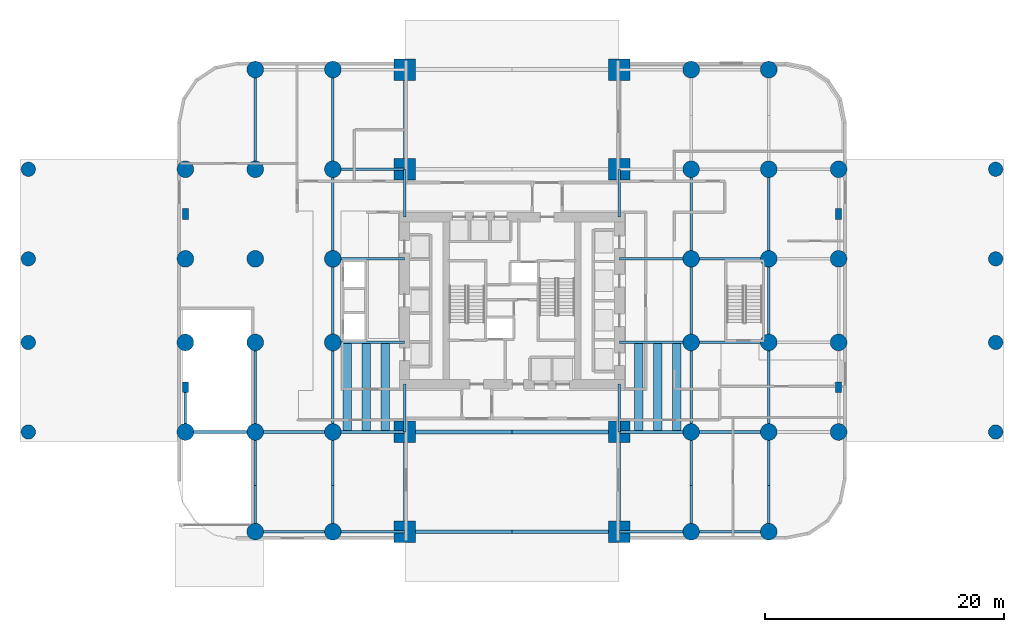
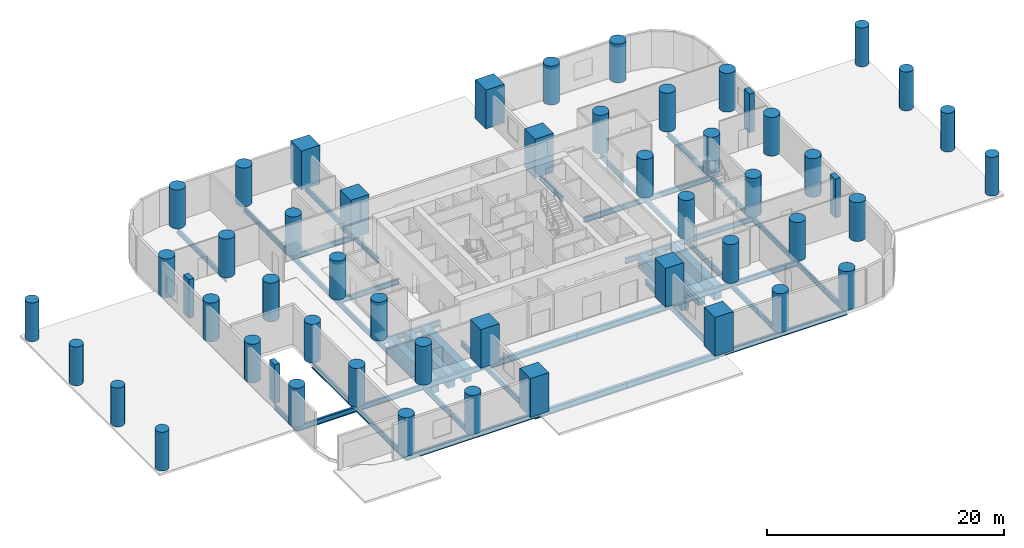
# One storey, part 1 of 10: 54 beams, 52 columns.
"""IFC4 building model written with IfcOpenShell, lengths in metres."""

from ifc_helpers import new_model, si_unit, direction, frame, origin, origin_2d, place, context, subcontext, project, spatial, rectangle, circle, i_section, extrude, material, material_profile, profile_set, type_object, element, save


model = new_model("IFC4")

# Units and contexts
model_context = context("Model", 3, precision=1e-05, world=origin(), true_north=direction((0.0, 1.0)))
body_context = subcontext(model_context, "Body", "Model", "MODEL_VIEW")
ifc_project = project(units=[si_unit("LENGTHUNIT", "METRE"), si_unit("AREAUNIT", "SQUARE_METRE"), si_unit("VOLUMEUNIT", "CUBIC_METRE"), si_unit("PLANEANGLEUNIT", "RADIAN"), si_unit("MASSUNIT", "GRAM", prefix="KILO")], contexts=[model_context])

# Site, building, storey
site_placement = place(None, origin())
site = spatial("IfcSite", under=ifc_project, at=site_placement, CompositionType="ELEMENT")
building_placement = place(site_placement, origin())
building = spatial("IfcBuilding", under=site, at=building_placement, Name="Veldorim Arch Residences", CompositionType="ELEMENT")
storey_placement = place(building_placement, origin())
storey = spatial("IfcBuildingStorey", under=building, at=storey_placement, Name="L00", CompositionType="ELEMENT", Elevation=0.0)

# Columns
ifc_material_1 = material(Name="Concrete C60/75", Category="concrete")
ifc_material_profile_1 = material_profile(ifc_material_1, circle(Radius=0.60009765625, at=origin_2d()), Name="RC_CIRC_1200")
ifc_profile_set_1 = profile_set([ifc_material_profile_1], Name="Concrete C60/75")
column_type_1 = type_object("IfcColumnType", Name="Structural Column RC_CIRC_1200", PredefinedType="COLUMN", material=ifc_profile_set_1)
for number, where, z_axis, x_axis, name in (
    (1, (-8.5, 13.0, 0.0), (0.0, 0.0, 1.0), (1.0, 0.0, 0.0), "L00 porte-cochere canopy column 01"),
    (2, (-8.5, 20.5, 0.0), (0.0, 0.0, 1.0), (1.0, 0.0, 0.0), "L00 porte-cochere canopy column 02"),
    (3, (-8.5, 27.5, 0.0), (0.0, 0.0, 1.0), (1.0, 0.0, 0.0), "L00 porte-cochere canopy column 03"),
    (4, (-8.5, 35.0, 0.0), (0.0, 0.0, 1.0), (1.0, 0.0, 0.0), "L00 porte-cochere canopy column 04"),
    (5, (72.5, 13.0, 0.0), (0.0, 0.0, 1.0), (1.0, 0.0, 0.0), "L00 porte-cochere canopy column 05"),
    (6, (72.5, 20.5, 0.0), (0.0, 0.0, 1.0), (1.0, 0.0, 0.0), "L00 porte-cochere canopy column 06"),
    (7, (72.5, 27.5, 0.0), (0.0, 0.0, 1.0), (1.0, 0.0, 0.0), "L00 porte-cochere canopy column 07"),
    (8, (72.5, 35.0, 0.0), (0.0, 0.0, 1.0), (1.0, 0.0, 0.0), "L00 porte-cochere canopy column 08"),
):
    element("IfcColumn", number, at=place(storey_placement, frame(where, z_axis=z_axis, x_axis=x_axis)), inside=storey, type_object=column_type_1, Name=name, PredefinedType="COLUMN", context=body_context, shape_type="SweptSolid", body=[
        extrude(circle(Radius=0.60009765625, at=origin_2d()), origin(), (0.0, 0.0, 1.0), 4.0),
    ])
ifc_material_2 = material(Name="Concrete C60/75", Category="concrete")
ifc_material_profile_2 = material_profile(ifc_material_2, circle(Radius=0.699951171875, at=origin_2d()), Name="RC_CIRC_1400")
ifc_profile_set_2 = profile_set([ifc_material_profile_2], Name="Concrete C60/75")
column_type_2 = type_object("IfcColumnType", Name="Structural Column RC_CIRC_1400", PredefinedType="COLUMN", material=ifc_profile_set_2)
for number, where, z_axis, x_axis, name in (
    (9, (4.64990234375, 13.0, 0.0), (0.0, 0.0, 1.0), (1.0, 0.0, 0.0), "L00 podium column (4.65, 13.00)"),
    (10, (4.64990234375, 20.5, 0.0), (0.0, 0.0, 1.0), (1.0, 0.0, 0.0), "L00 podium column (4.65, 20.50)"),
    (11, (4.64990234375, 27.5, 0.0), (0.0, 0.0, 1.0), (1.0, 0.0, 0.0), "L00 podium column (4.65, 27.50)"),
    (12, (4.64990234375, 35.0, 0.0), (0.0, 0.0, 1.0), (1.0, 0.0, 0.0), "L00 podium column (4.65, 35.00)"),
    (13, (10.5, 4.64990234375, 0.0), (0.0, 0.0, 1.0), (1.0, 0.0, 0.0), "L00 podium column (10.50, 4.65)"),
    (14, (10.5, 13.0, 0.0), (0.0, 0.0, 1.0), (1.0, 0.0, 0.0), "L00 podium column (10.50, 13.00)"),
    (15, (10.5, 20.5, 0.0), (0.0, 0.0, 1.0), (1.0, 0.0, 0.0), "L00 podium column (10.50, 20.50)"),
    (16, (10.5, 27.5, 0.0), (0.0, 0.0, 1.0), (1.0, 0.0, 0.0), "L00 podium column (10.50, 27.50)"),
    (17, (10.5, 35.0, 0.0), (0.0, 0.0, 1.0), (1.0, 0.0, 0.0), "L00 podium column (10.50, 35.00)"),
    (18, (10.5, 43.35009765625, 0.0), (0.0, 0.0, 1.0), (1.0, 0.0, 0.0), "L00 podium column (10.50, 43.35)"),
    (19, (17.0, 4.64990234375, 0.0), (0.0, 0.0, 1.0), (1.0, 0.0, 0.0), "L00 podium column (17.00, 4.65)"),
    (20, (17.0, 13.0, 0.0), (0.0, 0.0, 1.0), (1.0, 0.0, 0.0), "L00 podium column (17.00, 13.00)"),
    (21, (17.0, 20.5, 0.0), (0.0, 0.0, 1.0), (1.0, 0.0, 0.0), "L00 podium column (17.00, 20.50)"),
    (22, (17.0, 27.5, 0.0), (0.0, 0.0, 1.0), (1.0, 0.0, 0.0), "L00 podium column (17.00, 27.50)"),
    (23, (17.0, 35.0, 0.0), (0.0, 0.0, 1.0), (1.0, 0.0, 0.0), "L00 podium column (17.00, 35.00)"),
    (24, (17.0, 43.35009765625, 0.0), (0.0, 0.0, 1.0), (1.0, 0.0, 0.0), "L00 podium column (17.00, 43.35)"),
    (25, (47.0, 4.64990234375, 0.0), (0.0, 0.0, 1.0), (1.0, 0.0, 0.0), "L00 podium column (47.00, 4.65)"),
    (26, (47.0, 13.0, 0.0), (0.0, 0.0, 1.0), (1.0, 0.0, 0.0), "L00 podium column (47.00, 13.00)"),
    (27, (47.0, 20.5, 0.0), (0.0, 0.0, 1.0), (1.0, 0.0, 0.0), "L00 podium column (47.00, 20.50)"),
    (28, (47.0, 27.5, 0.0), (0.0, 0.0, 1.0), (1.0, 0.0, 0.0), "L00 podium column (47.00, 27.50)"),
    (29, (47.0, 35.0, 0.0), (0.0, 0.0, 1.0), (1.0, 0.0, 0.0), "L00 podium column (47.00, 35.00)"),
    (30, (47.0, 43.35009765625, 0.0), (0.0, 0.0, 1.0), (1.0, 0.0, 0.0), "L00 podium column (47.00, 43.35)"),
    (31, (53.5, 4.64990234375, 0.0), (0.0, 0.0, 1.0), (1.0, 0.0, 0.0), "L00 podium column (53.50, 4.65)"),
    (32, (53.5, 13.0, 0.0), (0.0, 0.0, 1.0), (1.0, 0.0, 0.0), "L00 podium column (53.50, 13.00)"),
    (33, (53.5, 20.5, 0.0), (0.0, 0.0, 1.0), (1.0, 0.0, 0.0), "L00 podium column (53.50, 20.50)"),
    (34, (53.5, 27.5, 0.0), (0.0, 0.0, 1.0), (1.0, 0.0, 0.0), "L00 podium column (53.50, 27.50)"),
    (35, (53.5, 35.0, 0.0), (0.0, 0.0, 1.0), (1.0, 0.0, 0.0), "L00 podium column (53.50, 35.00)"),
    (36, (53.5, 43.35009765625, 0.0), (0.0, 0.0, 1.0), (1.0, 0.0, 0.0), "L00 podium column (53.50, 43.35)"),
    (37, (59.35009765625, 13.0, 0.0), (0.0, 0.0, 1.0), (1.0, 0.0, 0.0), "L00 podium column (59.35, 13.00)"),
    (38, (59.35009765625, 20.5, 0.0), (0.0, 0.0, 1.0), (1.0, 0.0, 0.0), "L00 podium column (59.35, 20.50)"),
    (39, (59.35009765625, 27.5, 0.0), (0.0, 0.0, 1.0), (1.0, 0.0, 0.0), "L00 podium column (59.35, 27.50)"),
    (40, (59.35009765625, 35.0, 0.0), (0.0, 0.0, 1.0), (1.0, 0.0, 0.0), "L00 podium column (59.35, 35.00)"),
):
    element("IfcColumn", number, at=place(storey_placement, frame(where, z_axis=z_axis, x_axis=x_axis)), inside=storey, type_object=column_type_2, Name=name, PredefinedType="COLUMN", context=body_context, shape_type="SweptSolid", body=[
        extrude(circle(Radius=0.699951171875, at=origin_2d()), origin(), (0.0, 0.0, 1.0), 4.0),
    ])
ifc_material_3 = material(Name="Concrete C60/75", Category="concrete")
ifc_material_profile_3 = material_profile(ifc_material_3, rectangle(XDim=1.800048828125, YDim=1.800048828125, at=origin_2d()), Name="RC_RECT_1800x1800")
ifc_profile_set_3 = profile_set([ifc_material_profile_3], Name="Concrete C60/75")
column_type_3 = type_object("IfcColumnType", Name="Structural Column RC_RECT_1800x1800", PredefinedType="COLUMN", material=ifc_profile_set_3)
for number, where, z_axis, x_axis, name in (
    (41, (23.0, 4.64990234375, 0.0), (0.0, 0.0, 1.0), (1.0, 0.0, 0.0), "L00 arch mega-pier (23.00, 4.65)"),
    (42, (23.0, 13.0, 0.0), (0.0, 0.0, 1.0), (1.0, 0.0, 0.0), "L00 arch mega-pier (23.00, 13.00)"),
    (43, (23.0, 35.0, 0.0), (0.0, 0.0, 1.0), (1.0, 0.0, 0.0), "L00 arch mega-pier (23.00, 35.00)"),
    (44, (23.0, 43.35009765625, 0.0), (0.0, 0.0, 1.0), (1.0, 0.0, 0.0), "L00 arch mega-pier (23.00, 43.35)"),
    (45, (41.0, 4.64990234375, 0.0), (0.0, 0.0, 1.0), (1.0, 0.0, 0.0), "L00 arch mega-pier (41.00, 4.65)"),
    (46, (41.0, 13.0, 0.0), (0.0, 0.0, 1.0), (1.0, 0.0, 0.0), "L00 arch mega-pier (41.00, 13.00)"),
    (47, (41.0, 35.0, 0.0), (0.0, 0.0, 1.0), (1.0, 0.0, 0.0), "L00 arch mega-pier (41.00, 35.00)"),
    (48, (41.0, 43.35009765625, 0.0), (0.0, 0.0, 1.0), (1.0, 0.0, 0.0), "L00 arch mega-pier (41.00, 43.35)"),
):
    element("IfcColumn", number, at=place(storey_placement, frame(where, z_axis=z_axis, x_axis=x_axis)), inside=storey, type_object=column_type_3, Name=name, PredefinedType="COLUMN", context=body_context, shape_type="SweptSolid", body=[
        extrude(rectangle(XDim=1.800048828125, YDim=1.800048828125, at=origin_2d()), origin(), (0.0, 0.0, 1.0), 4.0),
    ])
ifc_material_4 = material(Name="Concrete C60/75", Category="concrete")
ifc_material_profile_4 = material_profile(ifc_material_4, rectangle(XDim=0.5, YDim=0.89990234375, at=origin_2d()), Name="RC_RECT_500x900")
ifc_profile_set_4 = profile_set([ifc_material_profile_4], Name="Concrete C60/75")
column_type_4 = type_object("IfcColumnType", Name="Structural Pilaster RC_RECT_500x900", PredefinedType="PILASTER", material=ifc_profile_set_4)
for number, where, z_axis, x_axis, name in (
    (49, (4.64990234375, 16.75, 0.0), (0.0, 0.0, 1.0), (1.0, 0.0, 0.0), "L00 facade structural pilaster (4.65, 16.75)"),
    (50, (4.64990234375, 31.25, 0.0), (0.0, 0.0, 1.0), (1.0, 0.0, 0.0), "L00 facade structural pilaster (4.65, 31.25)"),
    (51, (59.35009765625, 16.75, 0.0), (0.0, 0.0, 1.0), (1.0, 0.0, 0.0), "L00 facade structural pilaster (59.35, 16.75)"),
    (52, (59.35009765625, 31.25, 0.0), (0.0, 0.0, 1.0), (1.0, 0.0, 0.0), "L00 facade structural pilaster (59.35, 31.25)"),
):
    element("IfcColumn", number, at=place(storey_placement, frame(where, z_axis=z_axis, x_axis=x_axis)), inside=storey, type_object=column_type_4, Name=name, PredefinedType="PILASTER", context=body_context, shape_type="SweptSolid", body=[
        extrude(rectangle(XDim=0.5, YDim=0.89990234375, at=origin_2d()), origin(), (0.0, 0.0, 1.0), 4.0),
    ])

# Beams
ifc_material_5 = material(Name="Concrete C60/75", Category="concrete")
ifc_material_profile_5 = material_profile(ifc_material_5, rectangle(XDim=0.699951171875, YDim=1.39990234375, at=origin_2d()), Name="RC_RECT_700x1400")
ifc_profile_set_5 = profile_set([ifc_material_profile_5], Name="Concrete C60/75")
beam_type_1 = type_object("IfcBeamType", Name="Reinforced Concrete Beam RC_RECT_700x1400", PredefinedType="BEAM", material=ifc_profile_set_5)
for number, where, z_axis, x_axis, name in (
    (53, (18.199951171875, 13.080078125, -1.050048828125), (0.0, 1.0, 0.0), (-1.0, 0.0, 0.0), "L00 heavy clinical equipment trimmer beam 01"),
    (54, (19.800048828125, 13.080078125, -1.050048828125), (0.0, 1.0, 0.0), (-1.0, 0.0, 0.0), "L00 heavy clinical equipment trimmer beam 02"),
    (55, (21.39990234375, 13.080078125, -1.050048828125), (0.0, 1.0, 0.0), (-1.0, 0.0, 0.0), "L00 heavy clinical equipment trimmer beam 03"),
    (56, (42.60009765625, 13.080078125, -1.050048828125), (0.0, 1.0, 0.0), (-1.0, 0.0, 0.0), "L00 heavy clinical equipment trimmer beam 04"),
    (57, (44.199951171875, 13.080078125, -1.050048828125), (0.0, 1.0, 0.0), (-1.0, 0.0, 0.0), "L00 heavy clinical equipment trimmer beam 05"),
    (58, (45.800048828125, 13.080078125, -1.050048828125), (0.0, 1.0, 0.0), (-1.0, 0.0, 0.0), "L00 heavy clinical equipment trimmer beam 06"),
):
    element("IfcBeam", number, at=place(storey_placement, frame(where, z_axis=z_axis, x_axis=x_axis)), inside=storey, type_object=beam_type_1, Name=name, PredefinedType="BEAM", context=body_context, shape_type="SweptSolid", body=[
        extrude(rectangle(XDim=0.699951171875, YDim=1.39990234375, at=origin_2d()), origin(), (0.0, 0.0, 1.0), 7.33984375),
    ])
ifc_material_6 = material(Name="Steel S355", Category="steel")
ifc_material_profile_6 = material_profile(ifc_material_6, i_section(OverallWidth=0.2099609375, OverallDepth=0.53662109375, WebThickness=0.0107421875, FlangeThickness=0.017333984375, at=origin_2d()), Name="UB533x210x101")
ifc_profile_set_6 = profile_set([ifc_material_profile_6], Name="Steel S355")
beam_type_2 = type_object("IfcBeamType", Name="Structural Steel Beam UB533x210x101", PredefinedType="BEAM", material=ifc_profile_set_6)
beam_1_placement = place(storey_placement, frame((4.64990234375, 13.0, -0.618408203125), z_axis=(0.0, 1.0, 0.0), x_axis=(-1.0, 0.0, 0.0)))
element("IfcBeam", 59, at=beam_1_placement, inside=storey, type_object=beam_type_2, Name="L00 north-south floor beam (X=4.7, 13.0-16.8)", PredefinedType="BEAM", context=body_context, shape_type="SweptSolid", body=[
    extrude(i_section(OverallWidth=0.2099609375, OverallDepth=0.53662109375, WebThickness=0.0107421875, FlangeThickness=0.017333984375, at=origin_2d()), origin(), (0.0, 0.0, 1.0), 3.75),
])
beam_2_placement = place(storey_placement, frame((10.5, 4.64990234375, -0.618408203125), z_axis=(0.0, 1.0, 0.0), x_axis=(-1.0, 0.0, 0.0)))
element("IfcBeam", 60, at=beam_2_placement, inside=storey, type_object=beam_type_2, Name="L00 north-south floor beam (X=10.5, 4.7-8.5)", PredefinedType="BEAM", context=body_context, shape_type="SweptSolid", body=[
    extrude(i_section(OverallWidth=0.2099609375, OverallDepth=0.53662109375, WebThickness=0.0107421875, FlangeThickness=0.017333984375, at=origin_2d()), origin(), (0.0, 0.0, 1.0), 3.85009765625),
])
beam_3_placement = place(storey_placement, frame((10.5, 8.5, -0.618408203125), z_axis=(0.0, 1.0, 0.0), x_axis=(-1.0, 0.0, 0.0)))
element("IfcBeam", 61, at=beam_3_placement, inside=storey, type_object=beam_type_2, Name="L00 north-south floor beam (X=10.5, 8.5-13.0)", PredefinedType="BEAM", context=body_context, shape_type="SweptSolid", body=[
    extrude(i_section(OverallWidth=0.2099609375, OverallDepth=0.53662109375, WebThickness=0.0107421875, FlangeThickness=0.017333984375, at=origin_2d()), origin(), (0.0, 0.0, 1.0), 4.5),
])
beam_4_placement = place(storey_placement, frame((10.5, 13.0, -0.618408203125), z_axis=(0.0, 1.0, 0.0), x_axis=(-1.0, 0.0, 0.0)))
element("IfcBeam", 62, at=beam_4_placement, inside=storey, type_object=beam_type_2, Name="L00 north-south floor beam (X=10.5, 13.0-20.5)", PredefinedType="BEAM", context=body_context, shape_type="SweptSolid", body=[
    extrude(i_section(OverallWidth=0.2099609375, OverallDepth=0.53662109375, WebThickness=0.0107421875, FlangeThickness=0.017333984375, at=origin_2d()), origin(), (0.0, 0.0, 1.0), 7.5),
])
beam_5_placement = place(storey_placement, frame((10.5, 35.0, -0.618408203125), z_axis=(0.0, 1.0, 0.0), x_axis=(-1.0, 0.0, 0.0)))
element("IfcBeam", 63, at=beam_5_placement, inside=storey, type_object=beam_type_2, Name="L00 north-south floor beam (X=10.5, 35.0-43.4)", PredefinedType="BEAM", context=body_context, shape_type="SweptSolid", body=[
    extrude(i_section(OverallWidth=0.2099609375, OverallDepth=0.53662109375, WebThickness=0.0107421875, FlangeThickness=0.017333984375, at=origin_2d()), origin(), (0.0, 0.0, 1.0), 8.35009765625),
])
beam_6_placement = place(storey_placement, frame((17.0, 4.64990234375, -0.618408203125), z_axis=(0.0, 1.0, 0.0), x_axis=(-1.0, 0.0, 0.0)))
element("IfcBeam", 64, at=beam_6_placement, inside=storey, type_object=beam_type_2, Name="L00 north-south floor beam (X=17.0, 4.7-8.5)", PredefinedType="BEAM", context=body_context, shape_type="SweptSolid", body=[
    extrude(i_section(OverallWidth=0.2099609375, OverallDepth=0.53662109375, WebThickness=0.0107421875, FlangeThickness=0.017333984375, at=origin_2d()), origin(), (0.0, 0.0, 1.0), 3.85009765625),
])
beam_7_placement = place(storey_placement, frame((17.0, 8.5, -0.618408203125), z_axis=(0.0, 1.0, 0.0), x_axis=(-1.0, 0.0, 0.0)))
element("IfcBeam", 65, at=beam_7_placement, inside=storey, type_object=beam_type_2, Name="L00 north-south floor beam (X=17.0, 8.5-13.0)", PredefinedType="BEAM", context=body_context, shape_type="SweptSolid", body=[
    extrude(i_section(OverallWidth=0.2099609375, OverallDepth=0.53662109375, WebThickness=0.0107421875, FlangeThickness=0.017333984375, at=origin_2d()), origin(), (0.0, 0.0, 1.0), 4.5),
])
beam_8_placement = place(storey_placement, frame((17.0, 13.0, -0.618408203125), z_axis=(0.0, 1.0, 0.0), x_axis=(-1.0, 0.0, 0.0)))
element("IfcBeam", 66, at=beam_8_placement, inside=storey, type_object=beam_type_2, Name="L00 north-south floor beam (X=17.0, 13.0-20.5)", PredefinedType="BEAM", context=body_context, shape_type="SweptSolid", body=[
    extrude(i_section(OverallWidth=0.2099609375, OverallDepth=0.53662109375, WebThickness=0.0107421875, FlangeThickness=0.017333984375, at=origin_2d()), origin(), (0.0, 0.0, 1.0), 7.5),
])
beam_9_placement = place(storey_placement, frame((17.0, 20.5, -0.618408203125), z_axis=(0.0, 1.0, 0.0), x_axis=(-1.0, 0.0, 0.0)))
element("IfcBeam", 67, at=beam_9_placement, inside=storey, type_object=beam_type_2, Name="L00 north-south floor beam (X=17.0, 20.5-27.5)", PredefinedType="BEAM", context=body_context, shape_type="SweptSolid", body=[
    extrude(i_section(OverallWidth=0.2099609375, OverallDepth=0.53662109375, WebThickness=0.0107421875, FlangeThickness=0.017333984375, at=origin_2d()), origin(), (0.0, 0.0, 1.0), 7.0),
])
beam_10_placement = place(storey_placement, frame((17.0, 27.5, -0.618408203125), z_axis=(0.0, 1.0, 0.0), x_axis=(-1.0, 0.0, 0.0)))
element("IfcBeam", 68, at=beam_10_placement, inside=storey, type_object=beam_type_2, Name="L00 north-south floor beam (X=17.0, 27.5-35.0)", PredefinedType="BEAM", context=body_context, shape_type="SweptSolid", body=[
    extrude(i_section(OverallWidth=0.2099609375, OverallDepth=0.53662109375, WebThickness=0.0107421875, FlangeThickness=0.017333984375, at=origin_2d()), origin(), (0.0, 0.0, 1.0), 7.5),
])
for number, where, z_axis, x_axis, name in (
    (69, (17.0, 35.0, -0.618408203125), (0.0, 1.0, 0.0), (-1.0, 0.0, 0.0), "L00 north-south floor beam (X=17.0, 35.0-43.4)"),
    (70, (23.0, 4.64990234375, -0.618408203125), (0.0, 1.0, 0.0), (-1.0, 0.0, 0.0), "L00 north-south floor beam (X=23.0, 4.7-13.0)"),
):
    element("IfcBeam", number, at=place(storey_placement, frame(where, z_axis=z_axis, x_axis=x_axis)), inside=storey, type_object=beam_type_2, Name=name, PredefinedType="BEAM", context=body_context, shape_type="SweptSolid", body=[
        extrude(i_section(OverallWidth=0.2099609375, OverallDepth=0.53662109375, WebThickness=0.0107421875, FlangeThickness=0.017333984375, at=origin_2d()), origin(), (0.0, 0.0, 1.0), 8.35009765625),
    ])
for number, where, z_axis, x_axis, name in (
    (71, (23.0, 13.0, -0.618408203125), (0.0, 1.0, 0.0), (-1.0, 0.0, 0.0), "L00 north-south floor beam (X=23.0, 13.0-17.0)"),
    (72, (23.0, 31.0, -0.618408203125), (0.0, 1.0, 0.0), (-1.0, 0.0, 0.0), "L00 north-south floor beam (X=23.0, 31.0-35.0)"),
):
    element("IfcBeam", number, at=place(storey_placement, frame(where, z_axis=z_axis, x_axis=x_axis)), inside=storey, type_object=beam_type_2, Name=name, PredefinedType="BEAM", context=body_context, shape_type="SweptSolid", body=[
        extrude(i_section(OverallWidth=0.2099609375, OverallDepth=0.53662109375, WebThickness=0.0107421875, FlangeThickness=0.017333984375, at=origin_2d()), origin(), (0.0, 0.0, 1.0), 4.0),
    ])
for number, where, z_axis, x_axis, name in (
    (73, (23.0, 35.0, -0.618408203125), (0.0, 1.0, 0.0), (-1.0, 0.0, 0.0), "L00 north-south floor beam (X=23.0, 35.0-43.4)"),
    (74, (41.0, 4.64990234375, -0.618408203125), (0.0, 1.0, 0.0), (-1.0, 0.0, 0.0), "L00 north-south floor beam (X=41.0, 4.7-13.0)"),
):
    element("IfcBeam", number, at=place(storey_placement, frame(where, z_axis=z_axis, x_axis=x_axis)), inside=storey, type_object=beam_type_2, Name=name, PredefinedType="BEAM", context=body_context, shape_type="SweptSolid", body=[
        extrude(i_section(OverallWidth=0.2099609375, OverallDepth=0.53662109375, WebThickness=0.0107421875, FlangeThickness=0.017333984375, at=origin_2d()), origin(), (0.0, 0.0, 1.0), 8.35009765625),
    ])
for number, where, z_axis, x_axis, name in (
    (75, (41.0, 13.0, -0.618408203125), (0.0, 1.0, 0.0), (-1.0, 0.0, 0.0), "L00 north-south floor beam (X=41.0, 13.0-17.0)"),
    (76, (41.0, 31.0, -0.618408203125), (0.0, 1.0, 0.0), (-1.0, 0.0, 0.0), "L00 north-south floor beam (X=41.0, 31.0-35.0)"),
):
    element("IfcBeam", number, at=place(storey_placement, frame(where, z_axis=z_axis, x_axis=x_axis)), inside=storey, type_object=beam_type_2, Name=name, PredefinedType="BEAM", context=body_context, shape_type="SweptSolid", body=[
        extrude(i_section(OverallWidth=0.2099609375, OverallDepth=0.53662109375, WebThickness=0.0107421875, FlangeThickness=0.017333984375, at=origin_2d()), origin(), (0.0, 0.0, 1.0), 4.0),
    ])
beam_11_placement = place(storey_placement, frame((47.0, 4.64990234375, -0.618408203125), z_axis=(0.0, 1.0, 0.0), x_axis=(-1.0, 0.0, 0.0)))
element("IfcBeam", 77, at=beam_11_placement, inside=storey, type_object=beam_type_2, Name="L00 north-south floor beam (X=47.0, 4.7-8.5)", PredefinedType="BEAM", context=body_context, shape_type="SweptSolid", body=[
    extrude(i_section(OverallWidth=0.2099609375, OverallDepth=0.53662109375, WebThickness=0.0107421875, FlangeThickness=0.017333984375, at=origin_2d()), origin(), (0.0, 0.0, 1.0), 3.85009765625),
])
beam_12_placement = place(storey_placement, frame((47.0, 8.5, -0.618408203125), z_axis=(0.0, 1.0, 0.0), x_axis=(-1.0, 0.0, 0.0)))
element("IfcBeam", 78, at=beam_12_placement, inside=storey, type_object=beam_type_2, Name="L00 north-south floor beam (X=47.0, 8.5-13.0)", PredefinedType="BEAM", context=body_context, shape_type="SweptSolid", body=[
    extrude(i_section(OverallWidth=0.2099609375, OverallDepth=0.53662109375, WebThickness=0.0107421875, FlangeThickness=0.017333984375, at=origin_2d()), origin(), (0.0, 0.0, 1.0), 4.5),
])
beam_13_placement = place(storey_placement, frame((47.0, 13.0, -0.618408203125), z_axis=(0.0, 1.0, 0.0), x_axis=(-1.0, 0.0, 0.0)))
element("IfcBeam", 79, at=beam_13_placement, inside=storey, type_object=beam_type_2, Name="L00 north-south floor beam (X=47.0, 13.0-20.5)", PredefinedType="BEAM", context=body_context, shape_type="SweptSolid", body=[
    extrude(i_section(OverallWidth=0.2099609375, OverallDepth=0.53662109375, WebThickness=0.0107421875, FlangeThickness=0.017333984375, at=origin_2d()), origin(), (0.0, 0.0, 1.0), 7.5),
])
beam_14_placement = place(storey_placement, frame((47.0, 20.5, -0.618408203125), z_axis=(0.0, 1.0, 0.0), x_axis=(-1.0, 0.0, 0.0)))
element("IfcBeam", 80, at=beam_14_placement, inside=storey, type_object=beam_type_2, Name="L00 north-south floor beam (X=47.0, 20.5-27.5)", PredefinedType="BEAM", context=body_context, shape_type="SweptSolid", body=[
    extrude(i_section(OverallWidth=0.2099609375, OverallDepth=0.53662109375, WebThickness=0.0107421875, FlangeThickness=0.017333984375, at=origin_2d()), origin(), (0.0, 0.0, 1.0), 7.0),
])
beam_15_placement = place(storey_placement, frame((47.0, 27.5, -0.618408203125), z_axis=(0.0, 1.0, 0.0), x_axis=(-1.0, 0.0, 0.0)))
element("IfcBeam", 81, at=beam_15_placement, inside=storey, type_object=beam_type_2, Name="L00 north-south floor beam (X=47.0, 27.5-35.0)", PredefinedType="BEAM", context=body_context, shape_type="SweptSolid", body=[
    extrude(i_section(OverallWidth=0.2099609375, OverallDepth=0.53662109375, WebThickness=0.0107421875, FlangeThickness=0.017333984375, at=origin_2d()), origin(), (0.0, 0.0, 1.0), 7.5),
])
beam_16_placement = place(storey_placement, frame((53.5, 4.64990234375, -0.618408203125), z_axis=(0.0, 1.0, 0.0), x_axis=(-1.0, 0.0, 0.0)))
element("IfcBeam", 82, at=beam_16_placement, inside=storey, type_object=beam_type_2, Name="L00 north-south floor beam (X=53.5, 4.7-8.5)", PredefinedType="BEAM", context=body_context, shape_type="SweptSolid", body=[
    extrude(i_section(OverallWidth=0.2099609375, OverallDepth=0.53662109375, WebThickness=0.0107421875, FlangeThickness=0.017333984375, at=origin_2d()), origin(), (0.0, 0.0, 1.0), 3.85009765625),
])
beam_17_placement = place(storey_placement, frame((53.5, 8.5, -0.618408203125), z_axis=(0.0, 1.0, 0.0), x_axis=(-1.0, 0.0, 0.0)))
element("IfcBeam", 83, at=beam_17_placement, inside=storey, type_object=beam_type_2, Name="L00 north-south floor beam (X=53.5, 8.5-13.0)", PredefinedType="BEAM", context=body_context, shape_type="SweptSolid", body=[
    extrude(i_section(OverallWidth=0.2099609375, OverallDepth=0.53662109375, WebThickness=0.0107421875, FlangeThickness=0.017333984375, at=origin_2d()), origin(), (0.0, 0.0, 1.0), 4.5),
])
beam_18_placement = place(storey_placement, frame((53.5, 13.0, -0.618408203125), z_axis=(0.0, 1.0, 0.0), x_axis=(-1.0, 0.0, 0.0)))
element("IfcBeam", 84, at=beam_18_placement, inside=storey, type_object=beam_type_2, Name="L00 north-south floor beam (X=53.5, 13.0-20.5)", PredefinedType="BEAM", context=body_context, shape_type="SweptSolid", body=[
    extrude(i_section(OverallWidth=0.2099609375, OverallDepth=0.53662109375, WebThickness=0.0107421875, FlangeThickness=0.017333984375, at=origin_2d()), origin(), (0.0, 0.0, 1.0), 7.5),
])
beam_19_placement = place(storey_placement, frame((53.5, 20.5, -0.618408203125), z_axis=(0.0, 1.0, 0.0), x_axis=(-1.0, 0.0, 0.0)))
element("IfcBeam", 85, at=beam_19_placement, inside=storey, type_object=beam_type_2, Name="L00 north-south floor beam (X=53.5, 20.5-27.5)", PredefinedType="BEAM", context=body_context, shape_type="SweptSolid", body=[
    extrude(i_section(OverallWidth=0.2099609375, OverallDepth=0.53662109375, WebThickness=0.0107421875, FlangeThickness=0.017333984375, at=origin_2d()), origin(), (0.0, 0.0, 1.0), 7.0),
])
beam_20_placement = place(storey_placement, frame((53.5, 27.5, -0.618408203125), z_axis=(0.0, 1.0, 0.0), x_axis=(-1.0, 0.0, 0.0)))
element("IfcBeam", 86, at=beam_20_placement, inside=storey, type_object=beam_type_2, Name="L00 north-south floor beam (X=53.5, 27.5-35.0)", PredefinedType="BEAM", context=body_context, shape_type="SweptSolid", body=[
    extrude(i_section(OverallWidth=0.2099609375, OverallDepth=0.53662109375, WebThickness=0.0107421875, FlangeThickness=0.017333984375, at=origin_2d()), origin(), (0.0, 0.0, 1.0), 7.5),
])
ifc_material_7 = material(Name="Steel S355", Category="steel")
ifc_material_profile_7 = material_profile(ifc_material_7, i_section(OverallWidth=0.2119140625, OverallDepth=0.54443359375, WebThickness=0.0126953125, FlangeThickness=0.021240234375, at=origin_2d()), Name="UB533x210x122")
ifc_profile_set_7 = profile_set([ifc_material_profile_7], Name="Steel S355")
beam_type_3 = type_object("IfcBeamType", Name="Structural Steel Beam UB533x210x122", PredefinedType="BEAM", material=ifc_profile_set_7)
beam_21_placement = place(storey_placement, frame((10.5, 4.64990234375, -0.622314453125), z_axis=(1.0, 0.0, 0.0), x_axis=(0.0, 1.0, 0.0)))
element("IfcBeam", 87, at=beam_21_placement, inside=storey, type_object=beam_type_3, Name="L00 east-west floor beam (10.5-17.0, Y=4.7)", PredefinedType="BEAM", context=body_context, shape_type="SweptSolid", body=[
    extrude(i_section(OverallWidth=0.2119140625, OverallDepth=0.54443359375, WebThickness=0.0126953125, FlangeThickness=0.021240234375, at=origin_2d()), origin(), (0.0, 0.0, 1.0), 6.5),
])
for number, where, z_axis, x_axis, name in (
    (88, (17.0, 4.64990234375, -0.622314453125), (1.0, 0.0, 0.0), (0.0, 1.0, 0.0), "L00 east-west floor beam (17.0-23.0, Y=4.7)"),
    (89, (41.0, 4.64990234375, -0.622314453125), (1.0, 0.0, 0.0), (0.0, 1.0, 0.0), "L00 east-west floor beam (41.0-47.0, Y=4.7)"),
):
    element("IfcBeam", number, at=place(storey_placement, frame(where, z_axis=z_axis, x_axis=x_axis)), inside=storey, type_object=beam_type_3, Name=name, PredefinedType="BEAM", context=body_context, shape_type="SweptSolid", body=[
        extrude(i_section(OverallWidth=0.2119140625, OverallDepth=0.54443359375, WebThickness=0.0126953125, FlangeThickness=0.021240234375, at=origin_2d()), origin(), (0.0, 0.0, 1.0), 6.0),
    ])
beam_22_placement = place(storey_placement, frame((47.0, 4.64990234375, -0.622314453125), z_axis=(1.0, 0.0, 0.0), x_axis=(0.0, 1.0, 0.0)))
element("IfcBeam", 90, at=beam_22_placement, inside=storey, type_object=beam_type_3, Name="L00 east-west floor beam (47.0-53.5, Y=4.7)", PredefinedType="BEAM", context=body_context, shape_type="SweptSolid", body=[
    extrude(i_section(OverallWidth=0.2119140625, OverallDepth=0.54443359375, WebThickness=0.0126953125, FlangeThickness=0.021240234375, at=origin_2d()), origin(), (0.0, 0.0, 1.0), 6.5),
])
beam_23_placement = place(storey_placement, frame((4.64990234375, 13.0, -0.622314453125), z_axis=(1.0, 0.0, 0.0), x_axis=(0.0, 1.0, 0.0)))
element("IfcBeam", 91, at=beam_23_placement, inside=storey, type_object=beam_type_3, Name="L00 east-west floor beam (4.7-10.5, Y=13.0)", PredefinedType="BEAM", context=body_context, shape_type="SweptSolid", body=[
    extrude(i_section(OverallWidth=0.2119140625, OverallDepth=0.54443359375, WebThickness=0.0126953125, FlangeThickness=0.021240234375, at=origin_2d()), origin(), (0.0, 0.0, 1.0), 5.85009765625),
])
beam_24_placement = place(storey_placement, frame((10.5, 13.0, -0.622314453125), z_axis=(1.0, 0.0, 0.0), x_axis=(0.0, 1.0, 0.0)))
element("IfcBeam", 92, at=beam_24_placement, inside=storey, type_object=beam_type_3, Name="L00 east-west floor beam (10.5-17.0, Y=13.0)", PredefinedType="BEAM", context=body_context, shape_type="SweptSolid", body=[
    extrude(i_section(OverallWidth=0.2119140625, OverallDepth=0.54443359375, WebThickness=0.0126953125, FlangeThickness=0.021240234375, at=origin_2d()), origin(), (0.0, 0.0, 1.0), 6.5),
])
for number, where, z_axis, x_axis, name in (
    (93, (17.0, 13.0, -0.622314453125), (1.0, 0.0, 0.0), (0.0, 1.0, 0.0), "L00 east-west floor beam (17.0-23.0, Y=13.0)"),
    (94, (41.0, 13.0, -0.622314453125), (1.0, 0.0, 0.0), (0.0, 1.0, 0.0), "L00 east-west floor beam (41.0-47.0, Y=13.0)"),
):
    element("IfcBeam", number, at=place(storey_placement, frame(where, z_axis=z_axis, x_axis=x_axis)), inside=storey, type_object=beam_type_3, Name=name, PredefinedType="BEAM", context=body_context, shape_type="SweptSolid", body=[
        extrude(i_section(OverallWidth=0.2119140625, OverallDepth=0.54443359375, WebThickness=0.0126953125, FlangeThickness=0.021240234375, at=origin_2d()), origin(), (0.0, 0.0, 1.0), 6.0),
    ])
beam_25_placement = place(storey_placement, frame((47.0, 13.0, -0.622314453125), z_axis=(1.0, 0.0, 0.0), x_axis=(0.0, 1.0, 0.0)))
element("IfcBeam", 95, at=beam_25_placement, inside=storey, type_object=beam_type_3, Name="L00 east-west floor beam (47.0-53.5, Y=13.0)", PredefinedType="BEAM", context=body_context, shape_type="SweptSolid", body=[
    extrude(i_section(OverallWidth=0.2119140625, OverallDepth=0.54443359375, WebThickness=0.0126953125, FlangeThickness=0.021240234375, at=origin_2d()), origin(), (0.0, 0.0, 1.0), 6.5),
])
for number, where, z_axis, x_axis, name in (
    (96, (17.0, 20.5, -0.622314453125), (1.0, 0.0, 0.0), (0.0, 1.0, 0.0), "L00 east-west floor beam (17.0-23.0, Y=20.5)"),
    (97, (41.0, 20.5, -0.622314453125), (1.0, 0.0, 0.0), (0.0, 1.0, 0.0), "L00 east-west floor beam (41.0-47.0, Y=20.5)"),
):
    element("IfcBeam", number, at=place(storey_placement, frame(where, z_axis=z_axis, x_axis=x_axis)), inside=storey, type_object=beam_type_3, Name=name, PredefinedType="BEAM", context=body_context, shape_type="SweptSolid", body=[
        extrude(i_section(OverallWidth=0.2119140625, OverallDepth=0.54443359375, WebThickness=0.0126953125, FlangeThickness=0.021240234375, at=origin_2d()), origin(), (0.0, 0.0, 1.0), 6.0),
    ])
beam_26_placement = place(storey_placement, frame((47.0, 20.5, -0.622314453125), z_axis=(1.0, 0.0, 0.0), x_axis=(0.0, 1.0, 0.0)))
element("IfcBeam", 98, at=beam_26_placement, inside=storey, type_object=beam_type_3, Name="L00 east-west floor beam (47.0-53.5, Y=20.5)", PredefinedType="BEAM", context=body_context, shape_type="SweptSolid", body=[
    extrude(i_section(OverallWidth=0.2119140625, OverallDepth=0.54443359375, WebThickness=0.0126953125, FlangeThickness=0.021240234375, at=origin_2d()), origin(), (0.0, 0.0, 1.0), 6.5),
])
for number, where, z_axis, x_axis, name in (
    (99, (17.0, 27.5, -0.622314453125), (1.0, 0.0, 0.0), (0.0, 1.0, 0.0), "L00 east-west floor beam (17.0-23.0, Y=27.5)"),
    (100, (41.0, 27.5, -0.622314453125), (1.0, 0.0, 0.0), (0.0, 1.0, 0.0), "L00 east-west floor beam (41.0-47.0, Y=27.5)"),
):
    element("IfcBeam", number, at=place(storey_placement, frame(where, z_axis=z_axis, x_axis=x_axis)), inside=storey, type_object=beam_type_3, Name=name, PredefinedType="BEAM", context=body_context, shape_type="SweptSolid", body=[
        extrude(i_section(OverallWidth=0.2119140625, OverallDepth=0.54443359375, WebThickness=0.0126953125, FlangeThickness=0.021240234375, at=origin_2d()), origin(), (0.0, 0.0, 1.0), 6.0),
    ])
beam_27_placement = place(storey_placement, frame((47.0, 27.5, -0.622314453125), z_axis=(1.0, 0.0, 0.0), x_axis=(0.0, 1.0, 0.0)))
element("IfcBeam", 101, at=beam_27_placement, inside=storey, type_object=beam_type_3, Name="L00 east-west floor beam (47.0-53.5, Y=27.5)", PredefinedType="BEAM", context=body_context, shape_type="SweptSolid", body=[
    extrude(i_section(OverallWidth=0.2119140625, OverallDepth=0.54443359375, WebThickness=0.0126953125, FlangeThickness=0.021240234375, at=origin_2d()), origin(), (0.0, 0.0, 1.0), 6.5),
])
beam_28_placement = place(storey_placement, frame((17.0, 35.0, -0.622314453125), z_axis=(1.0, 0.0, 0.0), x_axis=(0.0, 1.0, 0.0)))
element("IfcBeam", 102, at=beam_28_placement, inside=storey, type_object=beam_type_3, Name="L00 east-west floor beam (17.0-23.0, Y=35.0)", PredefinedType="BEAM", context=body_context, shape_type="SweptSolid", body=[
    extrude(i_section(OverallWidth=0.2119140625, OverallDepth=0.54443359375, WebThickness=0.0126953125, FlangeThickness=0.021240234375, at=origin_2d()), origin(), (0.0, 0.0, 1.0), 6.0),
])
ifc_material_8 = material(Name="Steel S355", Category="steel")
ifc_material_profile_8 = material_profile(ifc_material_8, i_section(OverallWidth=0.30712890625, OverallDepth=0.6201171875, WebThickness=0.01416015625, FlangeThickness=0.023681640625, at=origin_2d()), Name="UB610x305x179")
ifc_profile_set_8 = profile_set([ifc_material_profile_8], Name="Steel S355")
beam_type_4 = type_object("IfcBeamType", Name="Structural Steel Beam UB610x305x179", PredefinedType="BEAM", material=ifc_profile_set_8)
for number, where, z_axis, x_axis, name in (
    (103, (23.0, 4.64990234375, -0.66015625), (1.0, 0.0, 0.0), (0.0, 1.0, 0.0), "L00 east-west floor beam (23.0-32.0, Y=4.7)"),
    (104, (32.0, 4.64990234375, -0.66015625), (1.0, 0.0, 0.0), (0.0, 1.0, 0.0), "L00 east-west floor beam (32.0-41.0, Y=4.7)"),
    (105, (23.0, 13.0, -0.66015625), (1.0, 0.0, 0.0), (0.0, 1.0, 0.0), "L00 east-west floor beam (23.0-32.0, Y=13.0)"),
    (106, (32.0, 13.0, -0.66015625), (1.0, 0.0, 0.0), (0.0, 1.0, 0.0), "L00 east-west floor beam (32.0-41.0, Y=13.0)"),
):
    element("IfcBeam", number, at=place(storey_placement, frame(where, z_axis=z_axis, x_axis=x_axis)), inside=storey, type_object=beam_type_4, Name=name, PredefinedType="BEAM", context=body_context, shape_type="SweptSolid", body=[
        extrude(i_section(OverallWidth=0.30712890625, OverallDepth=0.6201171875, WebThickness=0.01416015625, FlangeThickness=0.023681640625, at=origin_2d()), origin(), (0.0, 0.0, 1.0), 9.0),
    ])

save(model, "model.ifc")
